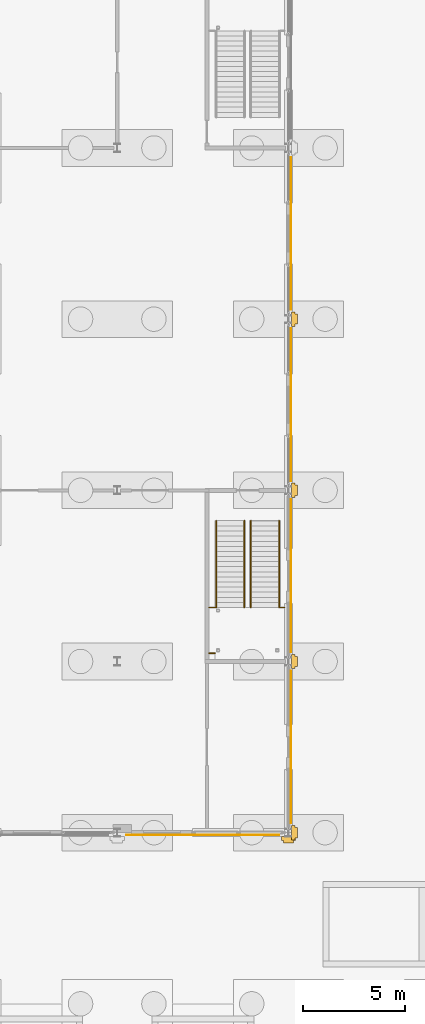
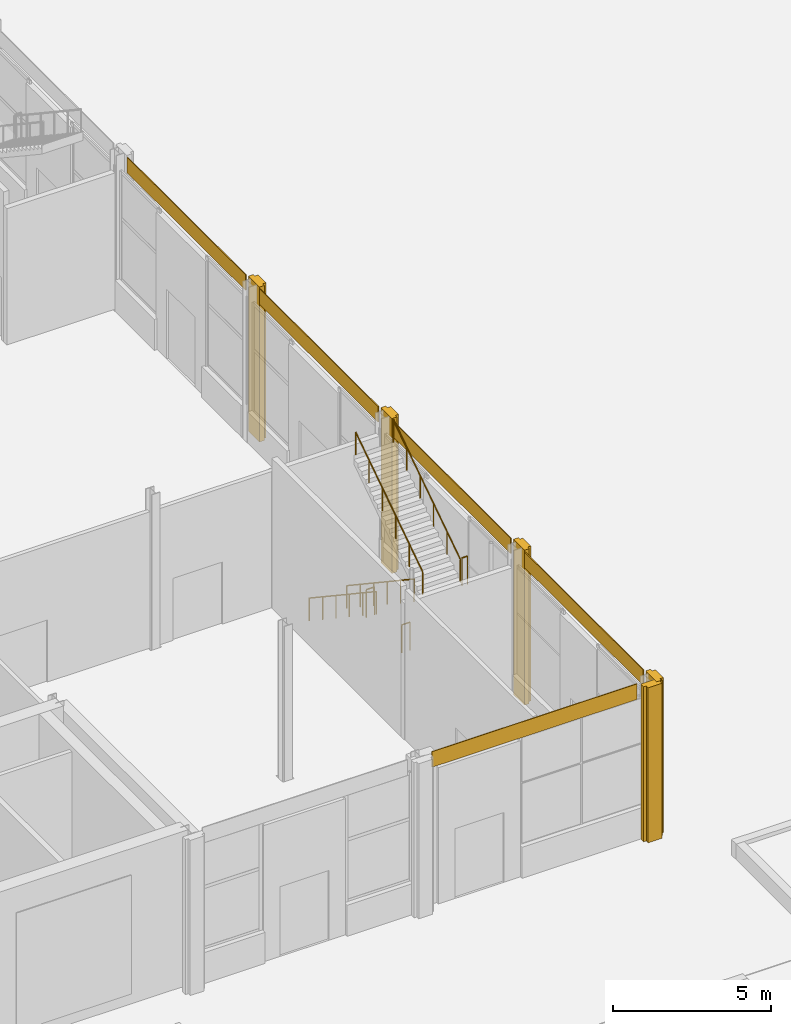
# One storey, part 204 of 212: 10 coverings, 7 railings.
"""IFC4 building model written with IfcOpenShell, lengths in metres."""

import ifcopenshell
import ifcopenshell.guid

model = None  # the IFC model being written
_history = None  # IfcOwnerHistory: only IFC2X3 demands one
_inside = {}  # id of a spatial element -> (the spatial element, [elements in it])
_under = {}  # id of a project, library or spatial element -> (it, [spatial elements below it])
_declared = {}  # id of a project -> (the project, [libraries it declares])
_typed = {}  # id of a type object -> (the type object, [elements of that type])
_made_of = {}  # id of a material, layer set ... -> (it, [elements and type objects made of it])


def new_model(schema):
    """Start an empty IFC model of exactly this schema.

    Asked for "IFC4X3", IfcOpenShell would pick the latest addendum, in which some entities
    have other attributes; the version numbers below select the first issue.
    IFC2X3 requires an IfcOwnerHistory on every rooted entity: one is made here for all.
    """
    global model, _history
    if schema == "IFC4X3":
        model = ifcopenshell.file(schema_version=(4, 3, 0, 0))
    else:
        model = ifcopenshell.file(schema=schema)
    _inside.clear()
    _under.clear()
    _declared.clear()
    _typed.clear()
    _made_of.clear()
    _history = None
    if model.schema == "IFC2X3":
        org = make("IfcOrganization", Name="unknown")
        user = make(
            "IfcPersonAndOrganization",
            ThePerson=make("IfcPerson", FamilyName="unknown"),
            TheOrganization=org,
        )
        app = make(
            "IfcApplication",
            ApplicationDeveloper=org,
            Version="unknown",
            ApplicationFullName="unknown",
            ApplicationIdentifier="unknown",
        )
        _history = make(
            "IfcOwnerHistory",
            OwningUser=user,
            OwningApplication=app,
            ChangeAction="ADDED",
            CreationDate=0,
        )
    return model


def make(cls, **values):
    """One entity of the class cls with the attributes given. An attribute that is None is left unset."""
    return model.create_entity(
        cls, **{name: value for name, value in values.items() if value is not None}
    )


def rooted(cls, **values):
    """An entity with a GlobalId (a new one), such as an element, a storey or a relation."""
    return make(cls, GlobalId=ifcopenshell.guid.new(), OwnerHistory=_history, **values)


def si_unit(unit_type, name, prefix=None):
    """IfcSIUnit, for example si_unit("LENGTHUNIT", "METRE", prefix="MILLI")."""
    return make("IfcSIUnit", UnitType=unit_type, Prefix=prefix, Name=name)


def assignment(units):
    """IfcUnitAssignment: the units of a project."""
    return None if units is None else make("IfcUnitAssignment", Units=units)


def point(xyz):
    """IfcCartesianPoint."""
    return None if xyz is None else make("IfcCartesianPoint", Coordinates=xyz)


def direction(xyz):
    """IfcDirection."""
    return None if xyz is None else make("IfcDirection", DirectionRatios=xyz)


def frame(location, z_axis=None, x_axis=None):
    """IfcAxis2Placement3D, a coordinate frame: its origin and axes. An axis left out is left unset."""
    return make(
        "IfcAxis2Placement3D",
        Location=point(location),
        Axis=direction(z_axis),
        RefDirection=direction(x_axis),
    )


def frame_2d(location, x_axis=None):
    """IfcAxis2Placement2D, a coordinate frame in the plane: its origin and x axis."""
    return make(
        "IfcAxis2Placement2D", Location=point(location), RefDirection=direction(x_axis)
    )


def origin():
    """The frame at (0, 0, 0) with its axes left unset."""
    return frame((0.0, 0.0, 0.0))


def origin_2d():
    """The frame at (0, 0) in the plane with its x axis left unset."""
    return frame_2d((0.0, 0.0))


def place(relative_to, where):
    """IfcLocalPlacement: puts the frame where relative to a parent placement (None: the world)."""
    return make(
        "IfcLocalPlacement", PlacementRelTo=relative_to, RelativePlacement=where
    )


def context(
    kind, dimensions, precision=None, world=None, true_north=None, identifier=None
):
    """IfcGeometricRepresentationContext, for example the 3D "Model" context."""
    return make(
        "IfcGeometricRepresentationContext",
        ContextIdentifier=identifier,
        ContextType=kind,
        CoordinateSpaceDimension=dimensions,
        Precision=precision,
        WorldCoordinateSystem=world,
        TrueNorth=true_north,
    )


def subcontext(parent, identifier, kind, view, scale=None):
    """IfcGeometricRepresentationSubContext, for example "Body" below "Model"."""
    return make(
        "IfcGeometricRepresentationSubContext",
        ContextIdentifier=identifier,
        ContextType=kind,
        ParentContext=parent,
        TargetScale=scale,
        TargetView=view,
    )


def project(units=None, contexts=None):
    """IfcProject with its units and contexts."""
    return rooted(
        "IfcProject",
        Name="project",
        RepresentationContexts=contexts,
        UnitsInContext=assignment(units),
    )


def spatial(cls, under=None, at=None, **own):
    """A site, building, storey or space (cls), placed at a placement, below another one or the project."""
    s = rooted(cls, ObjectPlacement=at, **own)
    if under is not None:
        _under.setdefault(under.id(), (under, []))[1].append(s)
    return s


def polyline(points):
    """IfcPolyline through the points."""
    return make("IfcPolyline", Points=[point(p) for p in points])


def profile(cls, at=None, kind="AREA", **sizes):
    """A parametric profile (cls). Its sizes go by their IFC names, for example OverallWidth=200.0."""
    return make(cls, ProfileType=kind, Position=at, **sizes)


def rectangle(**sizes):
    """IfcRectangleProfileDef."""
    return profile("IfcRectangleProfileDef", **sizes)


def circle(**sizes):
    """IfcCircleProfileDef."""
    return profile("IfcCircleProfileDef", **sizes)


def outline(outer, holes=None, kind="AREA"):
    """IfcArbitraryClosedProfileDef: a profile drawn as a closed curve; with holes, ...WithVoids."""
    if holes is None:
        return make("IfcArbitraryClosedProfileDef", ProfileType=kind, OuterCurve=outer)
    return make(
        "IfcArbitraryProfileDefWithVoids",
        ProfileType=kind,
        OuterCurve=outer,
        InnerCurves=holes,
    )


def extrude(swept, where, along, depth):
    """IfcExtrudedAreaSolid: the profile swept, set in the frame where, extruded along a direction by depth."""
    return make(
        "IfcExtrudedAreaSolid",
        SweptArea=swept,
        Position=where,
        ExtrudedDirection=direction(along),
        Depth=depth,
    )


def shape(context_of_items, identifier, shape_type, items):
    """IfcShapeRepresentation: the items that make up one representation, for example the "Body"."""
    return make(
        "IfcShapeRepresentation",
        ContextOfItems=context_of_items,
        RepresentationIdentifier=identifier,
        RepresentationType=shape_type,
        Items=items,
    )


def material(Name=None, Category=None):
    """IfcMaterial."""
    return make("IfcMaterial", Name=Name, Category=Category)


def layer(
    of_material, thickness, ventilated=None, Name=None, Category=None, Priority=None
):
    """IfcMaterialLayer: one layer of a wall or slab, of a material (None: an air gap)."""
    return make(
        "IfcMaterialLayer",
        Material=of_material,
        LayerThickness=thickness,
        IsVentilated=ventilated,
        Name=Name,
        Category=Category,
        Priority=Priority,
    )


def layer_set(layers, Name=None):
    """IfcMaterialLayerSet."""
    return make("IfcMaterialLayerSet", MaterialLayers=layers, LayerSetName=Name)


def made_of(thing, what):
    """Note that an element or type object is made of a material, layer set ...; save() writes the relation."""
    if what is not None:
        _made_of.setdefault(what.id(), (what, []))[1].append(thing)
    return thing


def type_object(cls, material=None, **own):
    """A type object (cls), such as IfcWallType, which elements share."""
    return made_of(rooted(cls, **own), material)


def element(
    cls,
    number,
    at=None,
    inside=None,
    cuts=None,
    type_object=None,
    material=None,
    context=None,
    identifier="Body",
    shape_type=None,
    held_by="IfcProductDefinitionShape",
    body=None,
    shapes=None,
    **own,
):
    """One element of the class cls, such as IfcWall. Its Tag is "e" and its number.

    at: its placement. inside: the storey or other place that contains it. cuts: it is an
    opening in that element (IfcRelVoidsElement). A single representation is given by context,
    identifier, shape_type and body (its items); several are given by shapes. held_by: the class
    of the entity that holds the representations. save() writes the other relations.
    """
    e = rooted(cls, Tag="e%d" % number, ObjectPlacement=at, **own)
    if body is not None:
        shapes = [shape(context, identifier, shape_type, body)]
    if shapes is not None:
        e.Representation = make(held_by, Representations=shapes)
    if inside is not None:
        _inside.setdefault(inside.id(), (inside, []))[1].append(e)
    if cuts is not None:
        rooted(
            "IfcRelVoidsElement", RelatingBuildingElement=cuts, RelatedOpeningElement=e
        )
    if type_object is not None:
        _typed.setdefault(type_object.id(), (type_object, []))[1].append(e)
    return made_of(e, material)


def aggregate(whole, parts):
    """IfcRelAggregates: a whole, such as a stair, and the parts it consists of."""
    return rooted("IfcRelAggregates", RelatingObject=whole, RelatedObjects=parts)


def save(model, path):
    """Write the relations noted so far, then the file.

    IfcRelAggregates (storeys below a building ...), IfcRelContainedInSpatialStructure (elements
    in a storey), IfcRelDefinesByType, IfcRelAssociatesMaterial and IfcRelDeclares: one each for
    every whole, place, type object, material and project.
    """
    for whole, parts in _under.values():
        aggregate(whole, parts)
    for where, things in _inside.values():
        rooted(
            "IfcRelContainedInSpatialStructure",
            RelatedElements=things,
            RelatingStructure=where,
        )
    for kind, things in _typed.values():
        rooted("IfcRelDefinesByType", RelatedObjects=things, RelatingType=kind)
    for what, things in _made_of.values():
        rooted("IfcRelAssociatesMaterial", RelatedObjects=things, RelatingMaterial=what)
    for by, libraries in _declared.values():
        rooted("IfcRelDeclares", RelatingContext=by, RelatedDefinitions=libraries)
    model.write(path)


model = new_model("IFC4")

# Units and contexts
model_context = context("Model", 3, precision=1e-05, world=origin(), true_north=direction((0.0, 1.0)))
body_context = subcontext(model_context, "Body", "Model", "MODEL_VIEW")
ifc_project = project(units=[si_unit("LENGTHUNIT", "METRE"), si_unit("AREAUNIT", "SQUARE_METRE"), si_unit("VOLUMEUNIT", "CUBIC_METRE"), si_unit("PLANEANGLEUNIT", "RADIAN"), si_unit("MASSUNIT", "GRAM", prefix="KILO")], contexts=[model_context])

# Site, building, storey
site_placement = place(None, origin())
site = spatial("IfcSite", under=ifc_project, at=site_placement, CompositionType="ELEMENT")
building_placement = place(site_placement, origin())
building = spatial("IfcBuilding", under=site, at=building_placement, Name="Catenary Quay Ferry Terminal", CompositionType="ELEMENT")
storey_placement = place(building_placement, origin())
storey = spatial("IfcBuildingStorey", under=building, at=storey_placement, Name="L00", CompositionType="ELEMENT", Elevation=0.0)

# Coverings
ifc_material_1 = material(Name="Ceramic tile")
ifc_layer_1 = layer(ifc_material_1, 0.0400390625)
ifc_layer_set_1 = layer_set([ifc_layer_1], Name="CL2")
covering_type_1 = type_object("IfcCoveringType", Name="CL2", PredefinedType="CLADDING", material=ifc_layer_set_1)
covering_1_placement = place(storey_placement, origin())
element("IfcCovering", 1, at=covering_1_placement, inside=storey, type_object=covering_type_1, Name="Ceramic pier casing", PredefinedType="CLADDING", context=body_context, shape_type="SweptSolid", body=[
    extrude(outline(polyline([(67.35009765625, 159.25), (67.530029296875, 159.25), (67.530029296875, 159.35009765625), (67.64990234375, 159.35009765625), (67.64990234375, 159.85009765625), (67.530029296875, 159.85009765625), (67.530029296875, 159.949951171875), (67.35009765625, 159.949951171875), (67.35009765625, 159.25)])), origin(), (0.0, 0.0, 1.0), 6.0),
])
covering_2_placement = place(storey_placement, origin())
element("IfcCovering", 2, at=covering_2_placement, inside=storey, type_object=covering_type_1, Name="Ceramic pier casing", PredefinedType="CLADDING", context=body_context, shape_type="SweptSolid", body=[
    extrude(outline(polyline([(66.85009765625, 159.39990234375), (66.85009765625, 159.219970703125), (66.949951171875, 159.219970703125), (66.949951171875, 159.10009765625), (67.449951171875, 159.10009765625), (67.449951171875, 159.219970703125), (67.550048828125, 159.219970703125), (67.550048828125, 159.39990234375), (66.85009765625, 159.39990234375)])), origin(), (0.0, 0.0, 1.0), 6.0),
])
covering_3_placement = place(storey_placement, origin())
element("IfcCovering", 3, at=covering_3_placement, inside=storey, type_object=covering_type_1, Name="Ceramic pier casing", PredefinedType="CLADDING", context=body_context, shape_type="SweptSolid", body=[
    extrude(outline(polyline([(67.35009765625, 167.64990234375), (67.530029296875, 167.64990234375), (67.530029296875, 167.75), (67.64990234375, 167.75), (67.64990234375, 168.25), (67.530029296875, 168.25), (67.530029296875, 168.35009765625), (67.35009765625, 168.35009765625), (67.35009765625, 167.64990234375)])), origin(), (0.0, 0.0, 1.0), 6.0),
])
covering_4_placement = place(storey_placement, origin())
element("IfcCovering", 4, at=covering_4_placement, inside=storey, type_object=covering_type_1, Name="Ceramic pier casing", PredefinedType="CLADDING", context=body_context, shape_type="SweptSolid", body=[
    extrude(outline(polyline([(67.35009765625, 176.050048828125), (67.530029296875, 176.050048828125), (67.530029296875, 176.14990234375), (67.64990234375, 176.14990234375), (67.64990234375, 176.64990234375), (67.530029296875, 176.64990234375), (67.530029296875, 176.75), (67.35009765625, 176.75), (67.35009765625, 176.050048828125)])), origin(), (0.0, 0.0, 1.0), 6.0),
])
covering_5_placement = place(storey_placement, origin())
element("IfcCovering", 5, at=covering_5_placement, inside=storey, type_object=covering_type_1, Name="Ceramic pier casing", PredefinedType="CLADDING", context=body_context, shape_type="SweptSolid", body=[
    extrude(outline(polyline([(67.35009765625, 184.449951171875), (67.530029296875, 184.449951171875), (67.530029296875, 184.550048828125), (67.64990234375, 184.550048828125), (67.64990234375, 185.050048828125), (67.530029296875, 185.050048828125), (67.530029296875, 185.14990234375), (67.35009765625, 185.14990234375), (67.35009765625, 184.449951171875)])), origin(), (0.0, 0.0, 1.0), 6.0),
])
ifc_material_2 = material(Name="Glazed ceramic tile, ochre")
ifc_layer_2 = layer(ifc_material_2, 0.030029296875)
ifc_layer_set_2 = layer_set([ifc_layer_2], Name="CL6")
covering_type_2 = type_object("IfcCoveringType", Name="CL6", PredefinedType="CLADDING", material=ifc_layer_set_2)
for number, where, z_axis, x_axis, name in (
    (6, (67.3193359375, 163.800048828125, 5.39990234375), (0.0, 0.0, 1.0), (1.0, 0.0, 0.0), "Band wing v67.2 cladding CV285"),
    (7, (67.3193359375, 172.199951171875, 5.39990234375), (0.0, 0.0, 1.0), (1.0, 0.0, 0.0), "Band wing v67.2 cladding CV286"),
    (8, (67.3193359375, 180.60009765625, 5.39990234375), (0.0, 0.0, 1.0), (1.0, 0.0, 0.0), "Band wing v67.2 cladding CV287"),
    (9, (67.3193359375, 189.0, 5.39990234375), (0.0, 0.0, 1.0), (1.0, 0.0, 0.0), "Band wing v67.2 cladding CV288"),
):
    element("IfcCovering", number, at=place(storey_placement, frame(where, z_axis=z_axis, x_axis=x_axis)), inside=storey, type_object=covering_type_2, Name=name, PredefinedType="CLADDING", context=body_context, shape_type="SweptSolid", body=[
        extrude(rectangle(XDim=0.030029296875, YDim=7.5, at=origin_2d()), origin(), (0.0, 0.0, 1.0), 0.60009765625),
    ])
covering_6_placement = place(storey_placement, frame((63.0, 159.480712890625, 5.39990234375), z_axis=(0.0, 0.0, 1.0), x_axis=(1.0, 0.0, 0.0)))
element("IfcCovering", 10, at=covering_6_placement, inside=storey, type_object=covering_type_2, Name="Band wing h159.6 cladding CV305", PredefinedType="CLADDING", context=body_context, shape_type="SweptSolid", body=[
    extrude(rectangle(XDim=7.5, YDim=0.030029296875, at=origin_2d()), origin(), (0.0, 0.0, 1.0), 0.60009765625),
])

# Railings
ifc_material_3 = material(Name="Steel and glass", Category="steel")
railing_type_1 = type_object("IfcRailingType", Name="GI1", PredefinedType="GUARDRAIL", material=ifc_material_3)
railing_1_placement = place(storey_placement, frame((63.300048828125, 170.64990234375, 3.0)))
element("IfcRailing", 11, at=railing_1_placement, inside=storey, type_object=railing_type_1, Name="HS3 strip 0 guard GI180", PredefinedType="GUARDRAIL", context=body_context, shape_type="SweptSolid", body=[
    extrude(circle(Radius=0.02392578125, at=origin_2d()), frame((0.0, 0.0, 1.076171875), z_axis=(1.0, 0.0, 0.0), x_axis=(0.0, 1.0, 0.0)), (0.0, 0.0, 1.0), 0.2998046875),
    extrude(circle(Radius=0.02099609375, at=origin_2d()), origin(), (0.0, 0.0, 1.0), 1.052001953125),
    extrude(circle(Radius=0.02099609375, at=origin_2d()), frame((0.2998046875, 0.0, 0.0)), (0.0, 0.0, 1.0), 1.052001953125),
])
railing_2_placement = place(storey_placement, frame((63.599853515625, 168.39990234375, 3.0)))
element("IfcRailing", 12, at=railing_2_placement, inside=storey, type_object=railing_type_1, Name="HS3 strip 0 guard GI181", PredefinedType="GUARDRAIL", context=body_context, shape_type="SweptSolid", body=[
    extrude(circle(Radius=0.02392578125, at=origin_2d()), frame((0.0, 0.0, 1.076171875), z_axis=(-1.0, 0.0, 0.0), x_axis=(0.0, -1.0, 0.0)), (0.0, 0.0, 1.0), 0.2998046875),
    extrude(circle(Radius=0.02099609375, at=origin_2d()), origin(), (0.0, 0.0, 1.0), 1.052001953125),
    extrude(circle(Radius=0.02099609375, at=origin_2d()), frame((-0.2998046875, 0.0, 0.0)), (0.0, 0.0, 1.0), 1.052001953125),
])
railing_3_placement = place(storey_placement, frame((66.800048828125, 170.64990234375, 3.0)))
element("IfcRailing", 13, at=railing_3_placement, inside=storey, type_object=railing_type_1, Name="HS3 strip 0 guard GI182", PredefinedType="GUARDRAIL", context=body_context, shape_type="SweptSolid", body=[
    extrude(circle(Radius=0.02392578125, at=origin_2d()), frame((0.0, 0.0, 1.076171875), z_axis=(1.0, 0.0, 0.0), x_axis=(0.0, 1.0, 0.0)), (0.0, 0.0, 1.0), 0.199951171875),
    extrude(circle(Radius=0.02099609375, at=origin_2d()), origin(), (0.0, 0.0, 1.0), 1.052001953125),
    extrude(circle(Radius=0.02099609375, at=origin_2d()), frame((0.199951171875, 0.0, 0.0)), (0.0, 0.0, 1.0), 1.052001953125),
])
ifc_material_4 = material(Name="Stainless steel", Category="steel")
railing_type_2 = type_object("IfcRailingType", Name="HR1", PredefinedType="HANDRAIL", material=ifc_material_4)
for number, where, name in (
    (14, (63.659912109375, 174.89990234375, 0.166748046875), "HS3 F1A handrail HR175"),
    (15, (65.0400390625, 174.89990234375, 0.166748046875), "HS3 F1B handrail HR176"),
):
    element("IfcRailing", number, at=place(storey_placement, frame(where)), inside=storey, type_object=railing_type_2, Name=name, PredefinedType="HANDRAIL", context=body_context, shape_type="SweptSolid", body=[
        extrude(circle(Radius=0.02392578125, at=origin_2d()), frame((0.0, 0.0, 0.8759765625), z_axis=(0.0, -0.832057647715, 0.554689166001), x_axis=(1.0, 0.0, 0.0)), (0.0, 0.0, 1.0), 5.10791015625),
        extrude(circle(Radius=0.02099609375, at=origin_2d()), origin(), (0.0, 0.0, 1.0), 0.851806640625),
        extrude(circle(Radius=0.02099609375, at=origin_2d()), frame((0.0, -0.85009765625, 0.566650390625)), (0.0, 0.0, 1.0), 0.851806640625),
        extrude(circle(Radius=0.02099609375, at=origin_2d()), frame((0.0, -1.699951171875, 1.13330078125)), (0.0, 0.0, 1.0), 0.851806640625),
        extrude(circle(Radius=0.02099609375, at=origin_2d()), frame((0.0, -2.550048828125, 1.699951171875)), (0.0, 0.0, 1.0), 0.851806640625),
        extrude(circle(Radius=0.02099609375, at=origin_2d()), frame((0.0, -3.39990234375, 2.2666015625)), (0.0, 0.0, 1.0), 0.851806640625),
        extrude(circle(Radius=0.02099609375, at=origin_2d()), frame((0.0, -4.25, 2.833251953125)), (0.0, 0.0, 1.0), 0.851806640625),
    ])
for number, where, name in (
    (16, (65.360107421875, 170.64990234375, 3.166748046875), "HS3 F2A handrail HR177"),
    (17, (66.739990234375, 170.64990234375, 3.166748046875), "HS3 F2B handrail HR178"),
):
    element("IfcRailing", number, at=place(storey_placement, frame(where)), inside=storey, type_object=railing_type_2, Name=name, PredefinedType="HANDRAIL", context=body_context, shape_type="SweptSolid", body=[
        extrude(circle(Radius=0.02392578125, at=origin_2d()), frame((0.0, 0.0, 0.8759765625), z_axis=(0.0, 0.832057647715, 0.554689166001), x_axis=(-1.0, 0.0, 0.0)), (0.0, 0.0, 1.0), 5.10791015625),
        extrude(circle(Radius=0.02099609375, at=origin_2d()), origin(), (0.0, 0.0, 1.0), 0.851806640625),
        extrude(circle(Radius=0.02099609375, at=origin_2d()), frame((0.0, 0.85009765625, 0.566650390625)), (0.0, 0.0, 1.0), 0.851806640625),
        extrude(circle(Radius=0.02099609375, at=origin_2d()), frame((0.0, 1.699951171875, 1.13330078125)), (0.0, 0.0, 1.0), 0.851806640625),
        extrude(circle(Radius=0.02099609375, at=origin_2d()), frame((0.0, 2.550048828125, 1.699951171875)), (0.0, 0.0, 1.0), 0.851806640625),
        extrude(circle(Radius=0.02099609375, at=origin_2d()), frame((0.0, 3.39990234375, 2.2666015625)), (0.0, 0.0, 1.0), 0.851806640625),
        extrude(circle(Radius=0.02099609375, at=origin_2d()), frame((0.0, 4.25, 2.833251953125)), (0.0, 0.0, 1.0), 0.851806640625),
    ])

save(model, "model.ifc")
